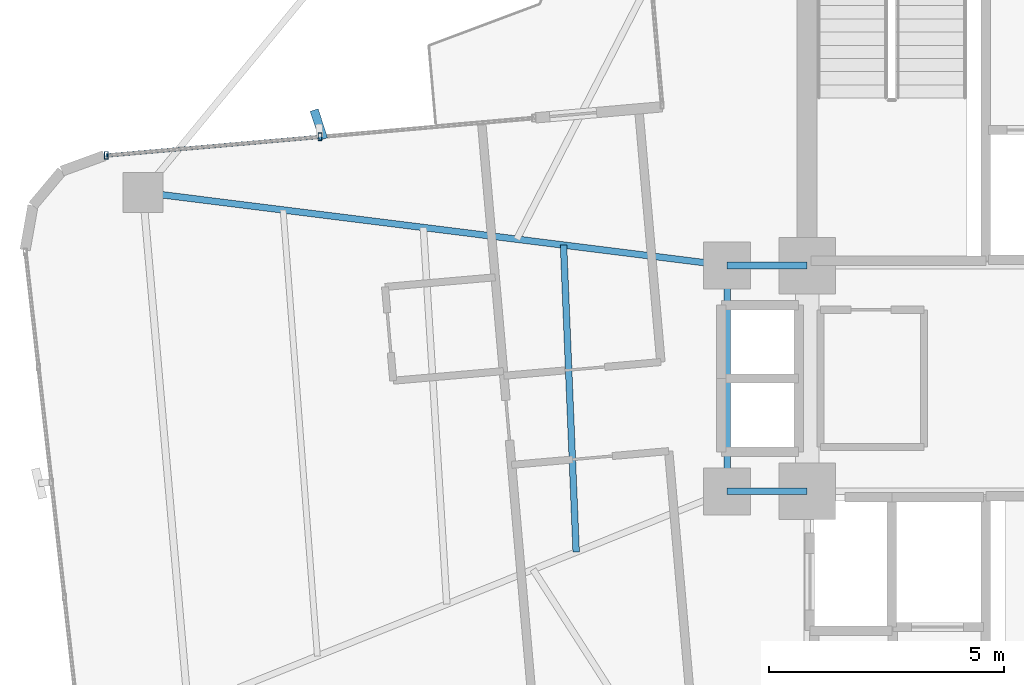
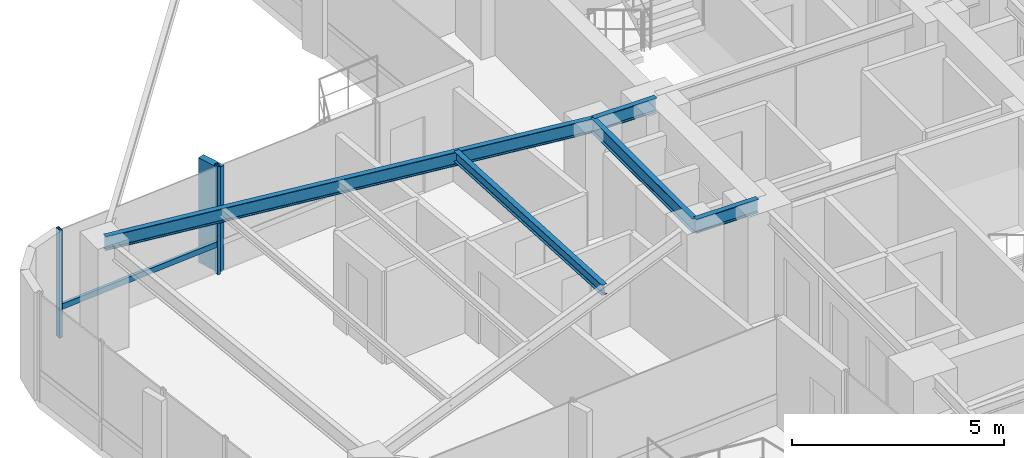
# One storey, part 9 of 24: 5 beams, 4 members, 1 element without a shape of its own.
"""IFC4 building model written with IfcOpenShell, lengths in metres."""

from ifc_helpers import new_model, si_unit, direction, frame, origin, origin_2d, place, context, subcontext, project, spatial, rectangle, hollow_rectangle, i_section, extrude, source, transform, mapped, material, material_profile, profile_set, type_object, element, aggregate, save


model = new_model("IFC4")

# Units and contexts
model_context = context("Model", 3, precision=1e-05, world=origin(), true_north=direction((0.0, 1.0)))
body_context = subcontext(model_context, "Body", "Model", "MODEL_VIEW")
ifc_project = project(units=[si_unit("LENGTHUNIT", "METRE"), si_unit("AREAUNIT", "SQUARE_METRE"), si_unit("VOLUMEUNIT", "CUBIC_METRE"), si_unit("PLANEANGLEUNIT", "RADIAN"), si_unit("MASSUNIT", "GRAM", prefix="KILO")], contexts=[model_context])

# Site, building, storey
site_placement = place(None, origin())
site = spatial("IfcSite", under=ifc_project, at=site_placement, CompositionType="ELEMENT")
building_placement = place(site_placement, origin())
building = spatial("IfcBuilding", under=site, at=building_placement, Name="Sahyath Konkavel Grand Hotel", CompositionType="ELEMENT")
storey_placement = place(building_placement, frame((0.0, 0.0, 181.89990234375)))
storey = spatial("IfcBuildingStorey", under=building, at=storey_placement, Name="L50", CompositionType="ELEMENT", Elevation=181.89990234375)

# Beams
ifc_material_1 = material(Name="Steel E350", Category="steel")
ifc_material_profile_1 = material_profile(ifc_material_1, i_section(OverallWidth=0.139892578125, OverallDepth=0.39990234375, WebThickness=0.0087890625, FlangeThickness=0.01611328125, FilletRadius=0.013916015625, at=origin_2d()), Name="ISMB 400")
ifc_profile_set_1 = profile_set([ifc_material_profile_1], Name="Steel E350")
beam_type_1 = type_object("IfcBeamType", Name="BM-ISMB400", PredefinedType="BEAM", material=ifc_profile_set_1)
shared_shape_1 = source(origin(), body_context, "Body", "SweptSolid", [
    extrude(i_section(OverallWidth=0.139892578125, OverallDepth=0.39990234375, WebThickness=0.0087890625, FlangeThickness=0.01611328125, FilletRadius=0.013916015625, at=origin_2d()), origin(), (0.0, 0.0, 1.0), 1.699951171875),
])
for number, where, z_axis, x_axis, name in (
    (1, (-5.5, 2.39990234375, 2.91015625), (1.0, 0.0, 0.0), (0.0, 1.0, 0.0), "str:bm:L50:HB-NW"),
    (2, (-5.5, -2.39990234375, 2.91015625), (1.0, 0.0, 0.0), (0.0, 1.0, 0.0), "str:bm:L50:HB-SW"),
):
    element("IfcBeam", number, at=place(storey_placement, frame(where, z_axis=z_axis, x_axis=x_axis)), inside=storey, type_object=beam_type_1, Name=name, PredefinedType="BEAM", context=body_context, shape_type="MappedRepresentation", body=[
        mapped(shared_shape_1, transform((0.0, 0.0, 0.0), scale=1.0)),
    ])
shared_shape_2 = source(origin(), body_context, "Body", "SweptSolid", [
    extrude(i_section(OverallWidth=0.139892578125, OverallDepth=0.39990234375, WebThickness=0.0087890625, FlangeThickness=0.01611328125, FilletRadius=0.013916015625, at=origin_2d()), origin(), (0.0, 0.0, 1.0), 4.7998046875),
])
beam_1_placement = place(storey_placement, frame((-5.5, -2.39990234375, 2.91015625), z_axis=(0.0, 1.0, 0.0), x_axis=(-1.0, 0.0, 0.0)))
element("IfcBeam", 3, at=beam_1_placement, inside=storey, type_object=beam_type_1, Name="str:bm:L50:HB-W", PredefinedType="BEAM", context=body_context, shape_type="MappedRepresentation", body=[
    mapped(shared_shape_2, transform((0.0, 0.0, 0.0), scale=1.0)),
])
shared_shape_3 = source(origin(), body_context, "Body", "SweptSolid", [
    extrude(i_section(OverallWidth=0.139892578125, OverallDepth=0.39990234375, WebThickness=0.0087890625, FlangeThickness=0.01611328125, FilletRadius=0.013916015625, at=origin_2d()), origin(), (0.0, 0.0, 1.0), 12.509765625),
])
beam_2_placement = place(storey_placement, frame((-5.5, 2.39990234375, 2.91015625), z_axis=(-0.992254740459, 0.124219684578, 0.0), x_axis=(-0.124219684578, -0.992254740459, 0.0)))
element("IfcBeam", 4, at=beam_2_placement, inside=storey, type_object=beam_type_1, Name="L50 Cruciform Radial Girder WA", PredefinedType="BEAM", context=body_context, shape_type="MappedRepresentation", body=[
    mapped(shared_shape_3, transform((0.0, 0.0, 0.0), scale=1.0)),
])
ifc_material_profile_2 = material_profile(ifc_material_1, i_section(OverallWidth=0.139892578125, OverallDepth=0.300048828125, WebThickness=0.0078125, FlangeThickness=0.01318359375, FilletRadius=0.013916015625, at=origin_2d()), Name="ISMB 300")
ifc_profile_set_2 = profile_set([ifc_material_profile_2], Name="Steel E350")
beam_type_2 = type_object("IfcBeamType", Name="BM-ISMB300", PredefinedType="BEAM", material=ifc_profile_set_2)
shared_shape_4 = source(origin(), body_context, "Body", "SweptSolid", [
    extrude(i_section(OverallWidth=0.139892578125, OverallDepth=0.300048828125, WebThickness=0.0078125, FlangeThickness=0.01318359375, FilletRadius=0.013916015625, at=origin_2d()), origin(), (0.0, 0.0, 1.0), 6.530029296875),
])
beam_3_placement = place(storey_placement, frame((-8.9755859375, 2.835205078125, 2.960205078125), z_axis=(0.04112667768, -0.999153940283, 0.0), x_axis=(0.999153940283, 0.04112667768, 0.0)))
element("IfcBeam", 5, at=beam_3_placement, inside=storey, type_object=beam_type_2, Name="L50 Secondary Floor Beam W-1", PredefinedType="BEAM", context=body_context, shape_type="MappedRepresentation", body=[
    mapped(shared_shape_4, transform((0.0, 0.0, 0.0), scale=1.0)),
])

# Curtain wall, members
ifc_material_2 = material(Name="Anodised Bronze Aluminium & Low-E Glazing", Category="aluminium")
curtain_wall_type = type_object("IfcCurtainWallType", Name="CW-ZONE3", PredefinedType="NOTDEFINED", material=ifc_material_2)
curtain_wall_placement = place(storey_placement, origin())
curtain_wall = element("IfcCurtainWall", 6, at=curtain_wall_placement, inside=storey, type_object=curtain_wall_type, Name="L50 Unitised Curtain Wall F16", PredefinedType="NOTDEFINED")
ifc_material_3 = material(Name="Warm Buff Sandstone Cladding on Concrete C50/60", Category="masonry")
ifc_material_profile_3 = material_profile(ifc_material_3, rectangle(XDim=0.179931640625, YDim=0.64990234375, at=origin_2d()), Name="FIN 180x650")
ifc_profile_set_3 = profile_set([ifc_material_profile_3], Name="Warm Buff Sandstone Cladding on Concrete C50/60")
member_type_1 = type_object("IfcMemberType", Name="FIN-SANDSTONE-650", PredefinedType="MULLION", material=ifc_profile_set_3)
shared_shape_5 = source(origin(), body_context, "Body", "SweptSolid", [
    extrude(rectangle(XDim=0.179931640625, YDim=0.64990234375, at=origin_2d()), origin(), (0.0, 0.0, 1.0), 3.010009765625),
])
member_1_placement = place(storey_placement, frame((-14.17431640625, 5.39501953125, 0.050048828125), z_axis=(0.0, 0.0, 1.0), x_axis=(0.951379596601, 0.308020881065, 0.0)))
member_1 = element("IfcMember", 7, at=member_1_placement, type_object=member_type_1, Name="L50 Sandstone Vertical Solar Fin FIN F16-1", PredefinedType="MULLION", context=body_context, shape_type="MappedRepresentation", body=[
    mapped(shared_shape_5, transform((0.0, 0.0, 0.0), scale=1.0)),
])
ifc_material_4 = material(Name="Anodised Bronze Aluminium", Category="aluminium")
ifc_material_profile_4 = material_profile(ifc_material_4, hollow_rectangle(XDim=0.080078125, YDim=0.159912109375, WallThickness=0.006103515625, at=origin_2d()), Name="RHS 160x80x6")
ifc_profile_set_4 = profile_set([ifc_material_profile_4], Name="Anodised Bronze Aluminium")
member_type_2 = type_object("IfcMemberType", Name="CW-MUL-160", PredefinedType="MULLION", material=ifc_profile_set_4)
shared_shape_6 = source(origin(), body_context, "Body", "SweptSolid", [
    extrude(hollow_rectangle(XDim=0.080078125, YDim=0.159912109375, WallThickness=0.006103515625, at=origin_2d()), origin(), (0.0, 0.0, 1.0), 3.110107421875),
])
member_2_placement = place(storey_placement, frame((-14.151611328125, 5.135986328125, 0.0), z_axis=(0.0, 0.0, 1.0), x_axis=(1.0, 0.0, 0.0)))
member_2 = element("IfcMember", 8, at=member_2_placement, type_object=member_type_2, Name="L50 Curtain Wall Mullion F16-1", PredefinedType="MULLION", context=body_context, shape_type="MappedRepresentation", body=[
    mapped(shared_shape_6, transform((0.0, 0.0, 0.0), scale=1.0)),
])
member_3_placement = place(storey_placement, frame((-18.694091796875, 4.73876953125, 0.0), z_axis=(0.0, 0.0, 1.0), x_axis=(1.0, 0.0, 0.0)))
member_3 = element("IfcMember", 9, at=member_3_placement, type_object=member_type_2, Name="L50 Curtain Wall Mullion F16-2", PredefinedType="MULLION", context=body_context, shape_type="MappedRepresentation", body=[
    mapped(shared_shape_6, transform((0.0, 0.0, 0.0), scale=1.0)),
])
ifc_material_profile_5 = material_profile(ifc_material_4, hollow_rectangle(XDim=0.080078125, YDim=0.159912109375, WallThickness=0.006103515625, at=origin_2d()), Name="RHS 160x80x6")
ifc_profile_set_5 = profile_set([ifc_material_profile_5], Name="Anodised Bronze Aluminium")
member_type_3 = type_object("IfcMemberType", Name="CW-TRN-160", PredefinedType="USERDEFINED", material=ifc_profile_set_5)
shared_shape_7 = source(origin(), body_context, "Body", "SweptSolid", [
    extrude(hollow_rectangle(XDim=0.080078125, YDim=0.159912109375, WallThickness=0.006103515625, at=origin_2d()), origin(), (0.0, 0.0, 1.0), 4.559814453125),
])
member_4_placement = place(storey_placement, frame((-14.151611328125, 5.135986328125, 0.85009765625), z_axis=(-0.99619848155, -0.087112486804, 0.0), x_axis=(0.087112486804, -0.99619848155, 0.0)))
member_4 = element("IfcMember", 10, at=member_4_placement, type_object=member_type_3, Name="L50 Curtain Wall Transom F16-1-spandrel", ObjectType="TRANSOM", PredefinedType="USERDEFINED", context=body_context, shape_type="MappedRepresentation", body=[
    mapped(shared_shape_7, transform((0.0, 0.0, 0.0), scale=1.0)),
])
aggregate(curtain_wall, [member_2, member_1, member_3, member_4])

save(model, "model.ifc")
